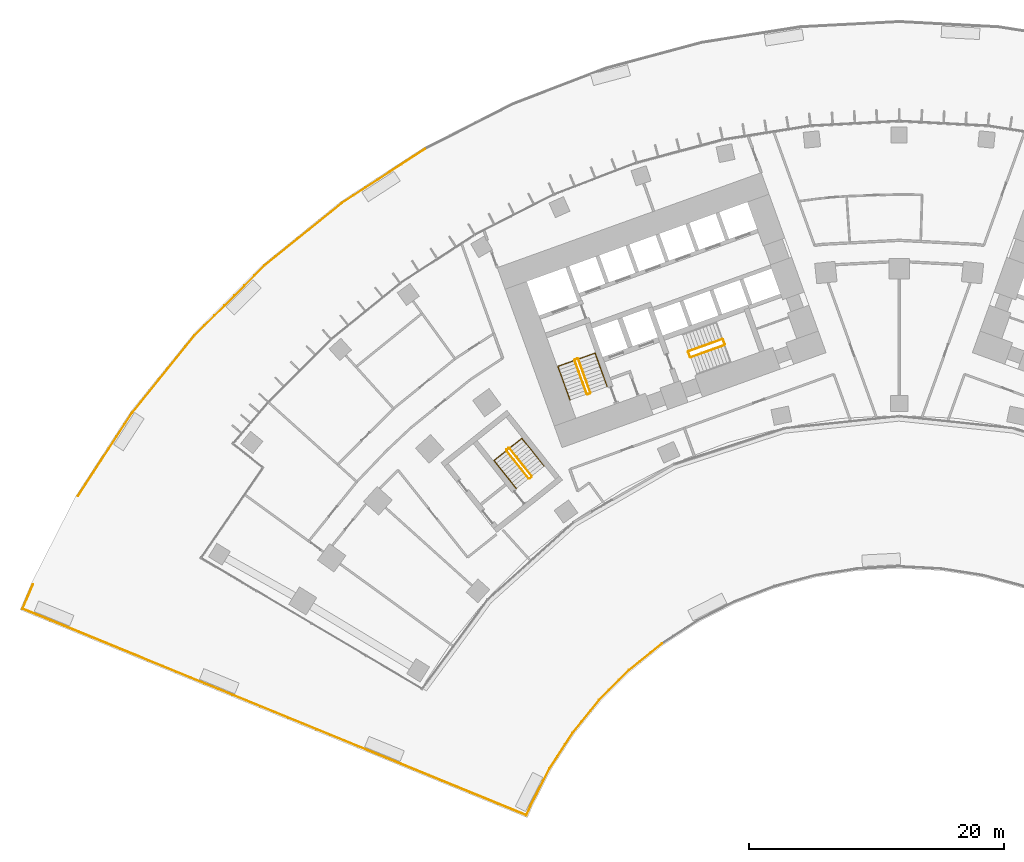
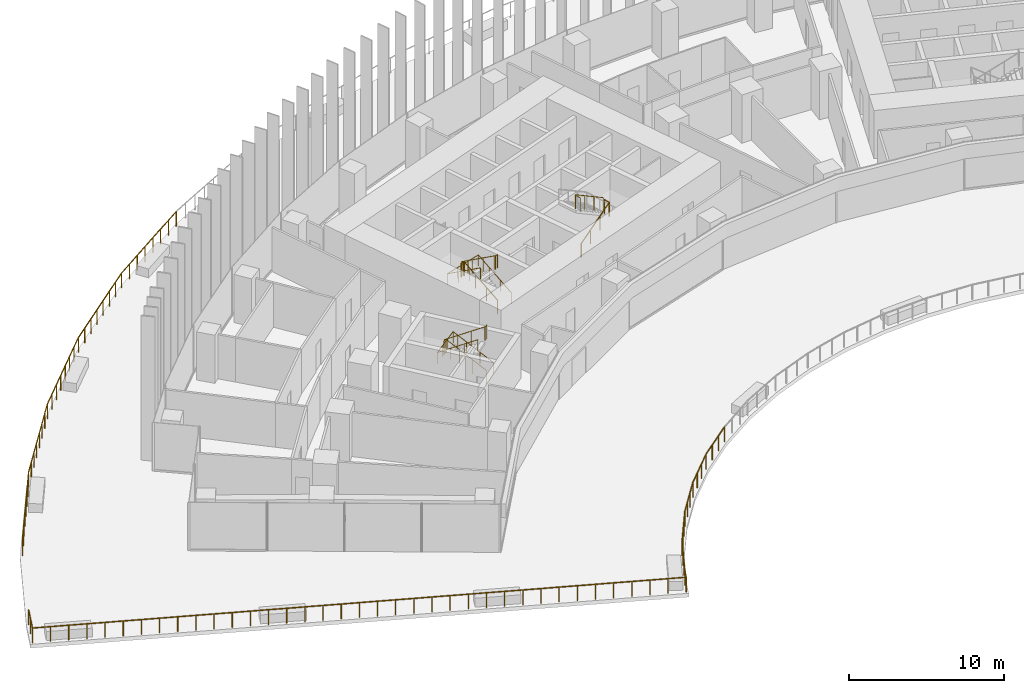
# One storey, part 22 of 24: 10 railings.
"""IFC4 building model written with IfcOpenShell, lengths in metres."""

from ifc_helpers import new_model, si_unit, direction, frame, origin, origin_2d, place, context, subcontext, project, spatial, circle, extrude, material, type_object, element, save


model = new_model("IFC4")

# Units and contexts
model_context = context("Model", 3, precision=1e-05, world=origin(), true_north=direction((0.0, 1.0)))
body_context = subcontext(model_context, "Body", "Model", "MODEL_VIEW")
ifc_project = project(units=[si_unit("LENGTHUNIT", "METRE"), si_unit("AREAUNIT", "SQUARE_METRE"), si_unit("VOLUMEUNIT", "CUBIC_METRE"), si_unit("PLANEANGLEUNIT", "RADIAN"), si_unit("MASSUNIT", "GRAM", prefix="KILO")], contexts=[model_context])

# Site, building, storey
site_placement = place(None, origin())
site = spatial("IfcSite", under=ifc_project, at=site_placement, CompositionType="ELEMENT")
building_placement = place(site_placement, origin())
building = spatial("IfcBuilding", under=site, at=building_placement, Name="Stone Belt Terrace Tower", CompositionType="ELEMENT")
storey_placement = place(building_placement, frame((0.0, 0.0, 30.0)))
storey = spatial("IfcBuildingStorey", under=building, at=storey_placement, Name="L06", CompositionType="ELEMENT", Elevation=30.0)

# Railings
ifc_material_1 = material(Name="Structural steel C345", Category="steel")
railing_type_1 = type_object("IfcRailingType", Name="Stair guard 1100", PredefinedType="GUARDRAIL", material=ifc_material_1)
railing_1_placement = place(storey_placement, frame((-24.2119140625, 45.276123046875, 0.172607421875)))
element("IfcRailing", 1, at=railing_1_placement, inside=storey, type_object=railing_type_1, Name="L06 ST1A stair guard 1", PredefinedType="GUARDRAIL", context=body_context, shape_type="SweptSolid", body=[
    extrude(circle(Radius=0.02392578125, at=origin_2d()), frame((0.0, 0.0, 1.076171875), z_axis=(-0.288228637646, 0.800791768495, 0.525030280985), x_axis=(-0.940908529223, -0.338660803216, 0.0)), (0.0, 0.0, 1.0), 3.289794921875),
    extrude(circle(Radius=0.02392578125, at=origin_2d()), frame((-0.9482421875, 2.634521484375, 2.80322265625), z_axis=(-0.905209821074, 0.424964916, 0.0), x_axis=(-0.424964916, -0.905209821074, 0.0)), (0.0, 0.0, 1.0), 0.070556640625),
    extrude(circle(Radius=0.02392578125, at=origin_2d()), frame((-1.01220703125, 2.66455078125, 2.80322265625), z_axis=(-0.941105063269, -0.338114270461, 0.0), x_axis=(0.338114270461, -0.941105063269, 0.0)), (0.0, 0.0, 1.0), 0.199951171875),
    extrude(circle(Radius=0.02099609375, at=origin_2d()), origin(), (0.0, 0.0, 1.0), 1.052001953125),
    extrude(circle(Radius=0.02099609375, at=origin_2d()), frame((-0.316162109375, 0.878173828125, 0.57568359375)), (0.0, 0.0, 1.0), 1.052001953125),
    extrude(circle(Radius=0.02099609375, at=origin_2d()), frame((-0.632080078125, 1.75634765625, 1.151611328125)), (0.0, 0.0, 1.0), 1.052001953125),
    extrude(circle(Radius=0.02099609375, at=origin_2d()), frame((-0.9482421875, 2.634521484375, 1.727294921875)), (0.0, 0.0, 1.0), 1.052001953125),
    extrude(circle(Radius=0.02099609375, at=origin_2d()), frame((-1.01220703125, 2.66455078125, 1.727294921875)), (0.0, 0.0, 1.0), 1.052001953125),
    extrude(circle(Radius=0.02099609375, at=origin_2d()), frame((-1.200439453125, 2.596923828125, 1.727294921875)), (0.0, 0.0, 1.0), 1.052001953125),
])
railing_2_placement = place(storey_placement, frame((-25.4423828125, 47.80908203125, 2.07275390625)))
element("IfcRailing", 2, at=railing_2_placement, inside=storey, type_object=railing_type_1, Name="L06 ST1A stair guard 2", PredefinedType="GUARDRAIL", context=body_context, shape_type="SweptSolid", body=[
    extrude(circle(Radius=0.02392578125, at=origin_2d()), frame((0.0, 0.0, 1.076171875), z_axis=(0.288228637646, -0.800791768495, 0.525030280985), x_axis=(0.940908529223, 0.338660803216, 0.0)), (0.0, 0.0, 1.0), 3.289794921875),
    extrude(circle(Radius=0.02392578125, at=origin_2d()), frame((0.9482421875, -2.634521484375, 2.80322265625), z_axis=(0.903878284585, -0.427789722475, 0.0), x_axis=(0.427789722475, 0.903878284585, 0.0)), (0.0, 0.0, 1.0), 0.07080078125),
    extrude(circle(Radius=0.02392578125, at=origin_2d()), frame((1.01220703125, -2.664794921875, 2.80322265625), z_axis=(0.940575576748, 0.339584429008, 0.0), x_axis=(-0.339584429008, 0.940575576748, 0.0)), (0.0, 0.0, 1.0), 0.199951171875),
    extrude(circle(Radius=0.02099609375, at=origin_2d()), origin(), (0.0, 0.0, 1.0), 1.052001953125),
    extrude(circle(Radius=0.02099609375, at=origin_2d()), frame((0.316162109375, -0.878173828125, 0.57568359375)), (0.0, 0.0, 1.0), 1.052001953125),
    extrude(circle(Radius=0.02099609375, at=origin_2d()), frame((0.632080078125, -1.75634765625, 1.151611328125)), (0.0, 0.0, 1.0), 1.052001953125),
    extrude(circle(Radius=0.02099609375, at=origin_2d()), frame((0.9482421875, -2.634521484375, 1.727294921875)), (0.0, 0.0, 1.0), 1.052001953125),
    extrude(circle(Radius=0.02099609375, at=origin_2d()), frame((1.01220703125, -2.664794921875, 1.727294921875)), (0.0, 0.0, 1.0), 1.052001953125),
    extrude(circle(Radius=0.02099609375, at=origin_2d()), frame((1.2001953125, -2.596923828125, 1.727294921875)), (0.0, 0.0, 1.0), 1.052001953125),
])
railing_3_placement = place(storey_placement, frame((-16.33837890625, 48.056640625, 0.172607421875)))
element("IfcRailing", 3, at=railing_3_placement, inside=storey, type_object=railing_type_1, Name="L06 ST2A stair guard 1", PredefinedType="GUARDRAIL", context=body_context, shape_type="SweptSolid", body=[
    extrude(circle(Radius=0.02392578125, at=origin_2d()), frame((0.0, 0.0, 1.076171875), z_axis=(0.800808895155, 0.288160591223, 0.52504150989), x_axis=(-0.338583606334, 0.940936311087, 0.0)), (0.0, 0.0, 1.0), 3.289794921875),
    extrude(circle(Radius=0.02392578125, at=origin_2d()), frame((2.634521484375, 0.947998046875, 2.80322265625), z_axis=(0.427789722475, 0.903878284585, 0.0), x_axis=(-0.903878284585, 0.427789722475, 0.0)), (0.0, 0.0, 1.0), 0.07080078125),
    extrude(circle(Radius=0.02392578125, at=origin_2d()), frame((2.664794921875, 1.011962890625, 2.80322265625), z_axis=(-0.338654645739, 0.940910745459, 0.0), x_axis=(-0.940910745459, -0.338654645739, 0.0)), (0.0, 0.0, 1.0), 0.400146484375),
    extrude(circle(Radius=0.02099609375, at=origin_2d()), origin(), (0.0, 0.0, 1.0), 1.052001953125),
    extrude(circle(Radius=0.02099609375, at=origin_2d()), frame((0.878173828125, 0.31591796875, 0.57568359375)), (0.0, 0.0, 1.0), 1.052001953125),
    extrude(circle(Radius=0.02099609375, at=origin_2d()), frame((1.75634765625, 0.632080078125, 1.151611328125)), (0.0, 0.0, 1.0), 1.052001953125),
    extrude(circle(Radius=0.02099609375, at=origin_2d()), frame((2.634521484375, 0.947998046875, 1.727294921875)), (0.0, 0.0, 1.0), 1.052001953125),
    extrude(circle(Radius=0.02099609375, at=origin_2d()), frame((2.664794921875, 1.011962890625, 1.727294921875)), (0.0, 0.0, 1.0), 1.052001953125),
    extrude(circle(Radius=0.02099609375, at=origin_2d()), frame((2.529296875, 1.388427734375, 1.727294921875)), (0.0, 0.0, 1.0), 1.052001953125),
])
railing_4_placement = place(storey_placement, frame((-13.873046875, 49.47509765625, 2.07275390625)))
element("IfcRailing", 4, at=railing_4_placement, inside=storey, type_object=railing_type_1, Name="L06 ST2A stair guard 2", PredefinedType="GUARDRAIL", context=body_context, shape_type="SweptSolid", body=[
    extrude(circle(Radius=0.02392578125, at=origin_2d()), frame((0.0, 0.0, 1.076171875), z_axis=(-0.800808895155, -0.288160591223, 0.52504150989), x_axis=(0.338583606334, -0.940936311087, 0.0)), (0.0, 0.0, 1.0), 3.289794921875),
    extrude(circle(Radius=0.02392578125, at=origin_2d()), frame((-2.634521484375, -0.947998046875, 2.80322265625), z_axis=(-0.427789722475, -0.903878284585, 0.0), x_axis=(0.903878284585, -0.427789722475, 0.0)), (0.0, 0.0, 1.0), 0.07080078125),
    extrude(circle(Radius=0.02392578125, at=origin_2d()), frame((-2.664794921875, -1.011962890625, 2.80322265625), z_axis=(0.338654645739, -0.940910745459, 0.0), x_axis=(0.940910745459, 0.338654645739, 0.0)), (0.0, 0.0, 1.0), 0.400146484375),
    extrude(circle(Radius=0.02099609375, at=origin_2d()), origin(), (0.0, 0.0, 1.0), 1.052001953125),
    extrude(circle(Radius=0.02099609375, at=origin_2d()), frame((-0.878173828125, -0.31591796875, 0.57568359375)), (0.0, 0.0, 1.0), 1.052001953125),
    extrude(circle(Radius=0.02099609375, at=origin_2d()), frame((-1.75634765625, -0.632080078125, 1.151611328125)), (0.0, 0.0, 1.0), 1.052001953125),
    extrude(circle(Radius=0.02099609375, at=origin_2d()), frame((-2.634521484375, -0.947998046875, 1.727294921875)), (0.0, 0.0, 1.0), 1.052001953125),
    extrude(circle(Radius=0.02099609375, at=origin_2d()), frame((-2.664794921875, -1.011962890625, 1.727294921875)), (0.0, 0.0, 1.0), 1.052001953125),
    extrude(circle(Radius=0.02099609375, at=origin_2d()), frame((-2.529296875, -1.388427734375, 1.727294921875)), (0.0, 0.0, 1.0), 1.052001953125),
])
railing_5_placement = place(storey_placement, frame((-28.814208984375, 38.734619140625, 0.172607421875)))
element("IfcRailing", 5, at=railing_5_placement, inside=storey, type_object=railing_type_1, Name="L06 ST3A stair guard 1", PredefinedType="GUARDRAIL", context=body_context, shape_type="SweptSolid", body=[
    extrude(circle(Radius=0.02392578125, at=origin_2d()), frame((0.0, 0.0, 1.076171875), z_axis=(-0.530306321799, 0.665665785969, 0.525037395288), x_axis=(-0.782143211408, -0.623098705543, 0.0)), (0.0, 0.0, 1.0), 3.289794921875),
    extrude(circle(Radius=0.02392578125, at=origin_2d()), frame((-1.74462890625, 2.18994140625, 2.80322265625), z_axis=(-0.993883734674, 0.110431526075, 0.0), x_axis=(-0.110431526075, -0.993883734674, 0.0)), (0.0, 0.0, 1.0), 0.07080078125),
    extrude(circle(Radius=0.02392578125, at=origin_2d()), frame((-1.81494140625, 2.19775390625, 2.80322265625), z_axis=(-0.782533463299, -0.622608527742, 0.0), x_axis=(0.622608527742, -0.782533463299, 0.0)), (0.0, 0.0, 1.0), 0.199951171875),
    extrude(circle(Radius=0.02099609375, at=origin_2d()), origin(), (0.0, 0.0, 1.0), 1.052001953125),
    extrude(circle(Radius=0.02099609375, at=origin_2d()), frame((-0.58154296875, 0.72998046875, 0.57568359375)), (0.0, 0.0, 1.0), 1.052001953125),
    extrude(circle(Radius=0.02099609375, at=origin_2d()), frame((-1.1630859375, 1.4599609375, 1.151611328125)), (0.0, 0.0, 1.0), 1.052001953125),
    extrude(circle(Radius=0.02099609375, at=origin_2d()), frame((-1.74462890625, 2.18994140625, 1.727294921875)), (0.0, 0.0, 1.0), 1.052001953125),
    extrude(circle(Radius=0.02099609375, at=origin_2d()), frame((-1.81494140625, 2.19775390625, 1.727294921875)), (0.0, 0.0, 1.0), 1.052001953125),
    extrude(circle(Radius=0.02099609375, at=origin_2d()), frame((-1.971435546875, 2.0732421875, 1.727294921875)), (0.0, 0.0, 1.0), 1.052001953125),
])
railing_6_placement = place(storey_placement, frame((-30.793701171875, 40.737548828125, 2.07275390625)))
element("IfcRailing", 6, at=railing_6_placement, inside=storey, type_object=railing_type_1, Name="L06 ST3A stair guard 2", PredefinedType="GUARDRAIL", context=body_context, shape_type="SweptSolid", body=[
    extrude(circle(Radius=0.02392578125, at=origin_2d()), frame((0.0, 0.0, 1.076171875), z_axis=(0.530359659125, -0.665639588968, 0.525016732659), x_axis=(0.782100716982, 0.62315204284, 0.0)), (0.0, 0.0, 1.0), 3.2900390625),
    extrude(circle(Radius=0.02392578125, at=origin_2d()), frame((1.744873046875, -2.18994140625, 2.80322265625), z_axis=(0.993499272973, -0.113838458361, 0.0), x_axis=(0.113838458361, 0.993499272973, 0.0)), (0.0, 0.0, 1.0), 0.07080078125),
    extrude(circle(Radius=0.02392578125, at=origin_2d()), frame((1.815185546875, -2.197998046875, 2.80322265625), z_axis=(0.781464082609, 0.623950228458, 0.0), x_axis=(-0.623950228458, 0.781464082609, 0.0)), (0.0, 0.0, 1.0), 0.199951171875),
    extrude(circle(Radius=0.02099609375, at=origin_2d()), origin(), (0.0, 0.0, 1.0), 1.052001953125),
    extrude(circle(Radius=0.02099609375, at=origin_2d()), frame((0.58154296875, -0.72998046875, 0.57568359375)), (0.0, 0.0, 1.0), 1.052001953125),
    extrude(circle(Radius=0.02099609375, at=origin_2d()), frame((1.163330078125, -1.4599609375, 1.151611328125)), (0.0, 0.0, 1.0), 1.052001953125),
    extrude(circle(Radius=0.02099609375, at=origin_2d()), frame((1.744873046875, -2.18994140625, 1.727294921875)), (0.0, 0.0, 1.0), 1.052001953125),
    extrude(circle(Radius=0.02099609375, at=origin_2d()), frame((1.815185546875, -2.197998046875, 1.727294921875)), (0.0, 0.0, 1.0), 1.052001953125),
    extrude(circle(Radius=0.02099609375, at=origin_2d()), frame((1.971435546875, -2.0732421875, 1.727294921875)), (0.0, 0.0, 1.0), 1.052001953125),
])
railing_type_2 = type_object("IfcRailingType", Name="Stair handrail 900", PredefinedType="HANDRAIL", material=ifc_material_1)
railing_7_placement = place(storey_placement, frame((-22.894775390625, 45.750244140625, 0.172607421875)))
element("IfcRailing", 7, at=railing_7_placement, inside=storey, type_object=railing_type_2, Name="L06 ST1A stair handrail 1", PredefinedType="HANDRAIL", context=body_context, shape_type="SweptSolid", body=[
    extrude(circle(Radius=0.02392578125, at=origin_2d()), frame((0.0, 0.0, 0.8759765625), z_axis=(-0.288160591223, 0.800808895155, 0.52504150989), x_axis=(-0.940936311087, -0.338583606334, 0.0)), (0.0, 0.0, 1.0), 3.289794921875),
    extrude(circle(Radius=0.02392578125, at=origin_2d()), frame((-0.947998046875, 2.634521484375, 2.60302734375), z_axis=(-0.939460408074, -0.338105101667, 0.055669398135), x_axis=(0.338630230244, -0.940919532779, 0.0)), (0.0, 0.0, 1.0), 3.10498046875),
    extrude(circle(Radius=0.02392578125, at=origin_2d()), frame((-3.864990234375, 1.584716796875, 2.77587890625), z_axis=(0.288228637646, -0.800791768495, 0.525030280985), x_axis=(0.940908529223, 0.338660803216, 0.0)), (0.0, 0.0, 1.0), 3.289794921875),
    extrude(circle(Radius=0.02099609375, at=origin_2d()), origin(), (0.0, 0.0, 1.0), 0.851806640625),
    extrude(circle(Radius=0.02099609375, at=origin_2d()), frame((-0.31591796875, 0.878173828125, 0.57568359375)), (0.0, 0.0, 1.0), 0.851806640625),
    extrude(circle(Radius=0.02099609375, at=origin_2d()), frame((-0.632080078125, 1.75634765625, 1.151611328125)), (0.0, 0.0, 1.0), 0.851806640625),
    extrude(circle(Radius=0.02099609375, at=origin_2d()), frame((-0.947998046875, 2.634521484375, 1.727294921875)), (0.0, 0.0, 1.0), 0.851806640625),
    extrude(circle(Radius=0.02099609375, at=origin_2d()), frame((-1.92041015625, 2.28466796875, 1.784912109375)), (0.0, 0.0, 1.0), 0.851806640625),
    extrude(circle(Radius=0.02099609375, at=origin_2d()), frame((-2.892578125, 1.9345703125, 1.842529296875)), (0.0, 0.0, 1.0), 0.851806640625),
    extrude(circle(Radius=0.02099609375, at=origin_2d()), frame((-3.864990234375, 1.584716796875, 1.900146484375)), (0.0, 0.0, 1.0), 0.851806640625),
    extrude(circle(Radius=0.02099609375, at=origin_2d()), frame((-3.548828125, 0.70654296875, 2.475830078125)), (0.0, 0.0, 1.0), 0.851806640625),
    extrude(circle(Radius=0.02099609375, at=origin_2d()), frame((-3.23291015625, -0.171630859375, 3.0517578125)), (0.0, 0.0, 1.0), 0.851806640625),
    extrude(circle(Radius=0.02099609375, at=origin_2d()), frame((-2.916748046875, -1.0498046875, 3.62744140625)), (0.0, 0.0, 1.0), 0.851806640625),
])
railing_8_placement = place(storey_placement, frame((-27.836669921875, 39.513427734375, 0.172607421875)))
element("IfcRailing", 8, at=railing_8_placement, inside=storey, type_object=railing_type_2, Name="L06 ST3A stair handrail 1", PredefinedType="HANDRAIL", context=body_context, shape_type="SweptSolid", body=[
    extrude(circle(Radius=0.02392578125, at=origin_2d()), frame((0.0, 0.0, 0.8759765625), z_axis=(-0.530306321799, 0.665665785969, 0.525037395288), x_axis=(-0.782143211408, -0.623098705543, 0.0)), (0.0, 0.0, 1.0), 3.289794921875),
    extrude(circle(Radius=0.02392578125, at=origin_2d()), frame((-1.74462890625, 2.18994140625, 2.60302734375), z_axis=(-0.78065703189, -0.621914732429, 0.061617076765), x_axis=(0.623098705543, -0.782143211408, 0.0)), (0.0, 0.0, 1.0), 2.80517578125),
    extrude(circle(Radius=0.02392578125, at=origin_2d()), frame((-3.9345703125, 0.4453125, 2.77587890625), z_axis=(0.530306321799, -0.665665785969, 0.525037395288), x_axis=(0.782143211408, 0.623098705543, 0.0)), (0.0, 0.0, 1.0), 3.289794921875),
    extrude(circle(Radius=0.02099609375, at=origin_2d()), origin(), (0.0, 0.0, 1.0), 0.851806640625),
    extrude(circle(Radius=0.02099609375, at=origin_2d()), frame((-0.58154296875, 0.72998046875, 0.57568359375)), (0.0, 0.0, 1.0), 0.851806640625),
    extrude(circle(Radius=0.02099609375, at=origin_2d()), frame((-1.1630859375, 1.4599609375, 1.151611328125)), (0.0, 0.0, 1.0), 0.851806640625),
    extrude(circle(Radius=0.02099609375, at=origin_2d()), frame((-1.74462890625, 2.18994140625, 1.727294921875)), (0.0, 0.0, 1.0), 0.851806640625),
    extrude(circle(Radius=0.02099609375, at=origin_2d()), frame((-2.474609375, 1.6083984375, 1.784912109375)), (0.0, 0.0, 1.0), 0.851806640625),
    extrude(circle(Radius=0.02099609375, at=origin_2d()), frame((-3.20458984375, 1.02685546875, 1.842529296875)), (0.0, 0.0, 1.0), 0.851806640625),
    extrude(circle(Radius=0.02099609375, at=origin_2d()), frame((-3.9345703125, 0.4453125, 1.900146484375)), (0.0, 0.0, 1.0), 0.851806640625),
    extrude(circle(Radius=0.02099609375, at=origin_2d()), frame((-3.35302734375, -0.28466796875, 2.475830078125)), (0.0, 0.0, 1.0), 0.851806640625),
    extrude(circle(Radius=0.02099609375, at=origin_2d()), frame((-2.771484375, -1.0146484375, 3.0517578125)), (0.0, 0.0, 1.0), 0.851806640625),
    extrude(circle(Radius=0.02099609375, at=origin_2d()), frame((-2.18994140625, -1.74462890625, 3.62744140625)), (0.0, 0.0, 1.0), 0.851806640625),
])
ifc_material_2 = material(Name="Stainless steel AISI 304", Category="steel")
railing_type_3 = type_object("IfcRailingType", Name="Terrace guard 1200", PredefinedType="GUARDRAIL", material=ifc_material_2)
railing_9_placement = place(storey_placement, frame((-67.923095703125, 30.23828125, 0.0)))
element("IfcRailing", 9, at=railing_9_placement, inside=storey, type_object=railing_type_3, Name="GUARD L06 1.1", PredefinedType="GUARDRAIL", context=body_context, shape_type="SweptSolid", body=[
    extrude(circle(Radius=0.02490234375, at=origin_2d()), frame((0.0, 0.0, 1.1748046875), z_axis=(-0.393065143018, -0.919510627097, 0.0), x_axis=(0.919510627097, -0.393065143018, 0.0)), (0.0, 0.0, 1.0), 2.0703125),
    extrude(circle(Radius=0.02490234375, at=origin_2d()), frame((-0.813720703125, -1.903564453125, 1.1748046875), z_axis=(0.925297113284, -0.379242998814, 0.0), x_axis=(0.379242998814, 0.925297113284, 0.0)), (0.0, 0.0, 1.0), 42.69970703125),
    extrude(circle(Radius=0.02490234375, at=origin_2d()), frame((38.6962890625, -18.09716796875, 1.1748046875), z_axis=(0.393255393644, 0.919429276981, 0.0), x_axis=(-0.919429276981, 0.393255393644, 0.0)), (0.0, 0.0, 1.0), 0.799072265625),
    extrude(circle(Radius=0.02490234375, at=origin_2d()), frame((39.010498046875, -17.362548828125, 1.1748046875), z_axis=(0.453956717024, 0.891023736535, 0.0), x_axis=(-0.891023736535, 0.453956717024, 0.0)), (0.0, 0.0, 1.0), 3.310302734375),
    extrude(circle(Radius=0.02490234375, at=origin_2d()), frame((40.51318359375, -14.4130859375, 1.1748046875), z_axis=(0.544677474369, 0.838645603885, 0.0), x_axis=(-0.838645603885, 0.544677474369, 0.0)), (0.0, 0.0, 1.0), 3.312744140625),
    extrude(circle(Radius=0.02490234375, at=origin_2d()), frame((42.317626953125, -11.634765625, 1.1748046875), z_axis=(0.629276664595, 0.777181368406, 0.0), x_axis=(-0.777181368406, 0.629276664595, 0.0)), (0.0, 0.0, 1.0), 3.31298828125),
    extrude(circle(Radius=0.02490234375, at=origin_2d()), frame((44.40234375, -9.06005859375, 1.1748046875), z_axis=(0.707106781187, 0.707106781187, 0.0), x_axis=(-0.707106781187, 0.707106781187, 0.0)), (0.0, 0.0, 1.0), 3.312744140625),
    extrude(circle(Radius=0.02490234375, at=origin_2d()), frame((46.744873046875, -6.717529296875, 1.1748046875), z_axis=(0.777181368406, 0.629276664595, 0.0), x_axis=(-0.629276664595, 0.777181368406, 0.0)), (0.0, 0.0, 1.0), 3.31298828125),
    extrude(circle(Radius=0.02001953125, at=origin_2d()), origin(), (0.0, 0.0, 1.0), 1.14990234375),
    extrude(circle(Radius=0.02001953125, at=origin_2d()), frame((-0.40673828125, -0.95166015625, 0.0)), (0.0, 0.0, 1.0), 1.14990234375),
    extrude(circle(Radius=0.02001953125, at=origin_2d()), frame((-0.813720703125, -1.903564453125, 0.0)), (0.0, 0.0, 1.0), 1.14990234375),
    extrude(circle(Radius=0.02001953125, at=origin_2d()), frame((0.28369140625, -2.353271484375, 0.0)), (0.0, 0.0, 1.0), 1.14990234375),
    extrude(circle(Radius=0.02001953125, at=origin_2d()), frame((1.38134765625, -2.80322265625, 0.0)), (0.0, 0.0, 1.0), 1.14990234375),
    extrude(circle(Radius=0.02001953125, at=origin_2d()), frame((2.478759765625, -3.2529296875, 0.0)), (0.0, 0.0, 1.0), 1.14990234375),
    extrude(circle(Radius=0.02001953125, at=origin_2d()), frame((3.576171875, -3.702880859375, 0.0)), (0.0, 0.0, 1.0), 1.14990234375),
    extrude(circle(Radius=0.02001953125, at=origin_2d()), frame((4.673828125, -4.152587890625, 0.0)), (0.0, 0.0, 1.0), 1.14990234375),
    extrude(circle(Radius=0.02001953125, at=origin_2d()), frame((5.771240234375, -4.6025390625, 0.0)), (0.0, 0.0, 1.0), 1.14990234375),
    extrude(circle(Radius=0.02001953125, at=origin_2d()), frame((6.868896484375, -5.05224609375, 0.0)), (0.0, 0.0, 1.0), 1.14990234375),
    extrude(circle(Radius=0.02001953125, at=origin_2d()), frame((7.96630859375, -5.502197265625, 0.0)), (0.0, 0.0, 1.0), 1.14990234375),
    extrude(circle(Radius=0.02001953125, at=origin_2d()), frame((9.063720703125, -5.951904296875, 0.0)), (0.0, 0.0, 1.0), 1.14990234375),
    extrude(circle(Radius=0.02001953125, at=origin_2d()), frame((10.161376953125, -6.40185546875, 0.0)), (0.0, 0.0, 1.0), 1.14990234375),
    extrude(circle(Radius=0.02001953125, at=origin_2d()), frame((11.2587890625, -6.8515625, 0.0)), (0.0, 0.0, 1.0), 1.14990234375),
    extrude(circle(Radius=0.02001953125, at=origin_2d()), frame((12.356201171875, -7.301513671875, 0.0)), (0.0, 0.0, 1.0), 1.14990234375),
    extrude(circle(Radius=0.02001953125, at=origin_2d()), frame((13.453857421875, -7.751220703125, 0.0)), (0.0, 0.0, 1.0), 1.14990234375),
    extrude(circle(Radius=0.02001953125, at=origin_2d()), frame((14.55126953125, -8.201171875, 0.0)), (0.0, 0.0, 1.0), 1.14990234375),
    extrude(circle(Radius=0.02001953125, at=origin_2d()), frame((15.648681640625, -8.65087890625, 0.0)), (0.0, 0.0, 1.0), 1.14990234375),
    extrude(circle(Radius=0.02001953125, at=origin_2d()), frame((16.746337890625, -9.100830078125, 0.0)), (0.0, 0.0, 1.0), 1.14990234375),
    extrude(circle(Radius=0.02001953125, at=origin_2d()), frame((17.84375, -9.550537109375, 0.0)), (0.0, 0.0, 1.0), 1.14990234375),
    extrude(circle(Radius=0.02001953125, at=origin_2d()), frame((18.94140625, -10.00048828125, 0.0)), (0.0, 0.0, 1.0), 1.14990234375),
    extrude(circle(Radius=0.02001953125, at=origin_2d()), frame((20.038818359375, -10.4501953125, 0.0)), (0.0, 0.0, 1.0), 1.14990234375),
    extrude(circle(Radius=0.02001953125, at=origin_2d()), frame((21.13623046875, -10.89990234375, 0.0)), (0.0, 0.0, 1.0), 1.14990234375),
    extrude(circle(Radius=0.02001953125, at=origin_2d()), frame((22.23388671875, -11.349853515625, 0.0)), (0.0, 0.0, 1.0), 1.14990234375),
    extrude(circle(Radius=0.02001953125, at=origin_2d()), frame((23.331298828125, -11.799560546875, 0.0)), (0.0, 0.0, 1.0), 1.14990234375),
    extrude(circle(Radius=0.02001953125, at=origin_2d()), frame((24.4287109375, -12.24951171875, 0.0)), (0.0, 0.0, 1.0), 1.14990234375),
    extrude(circle(Radius=0.02001953125, at=origin_2d()), frame((25.5263671875, -12.69921875, 0.0)), (0.0, 0.0, 1.0), 1.14990234375),
    extrude(circle(Radius=0.02001953125, at=origin_2d()), frame((26.623779296875, -13.149169921875, 0.0)), (0.0, 0.0, 1.0), 1.14990234375),
    extrude(circle(Radius=0.02001953125, at=origin_2d()), frame((27.72119140625, -13.598876953125, 0.0)), (0.0, 0.0, 1.0), 1.14990234375),
    extrude(circle(Radius=0.02001953125, at=origin_2d()), frame((28.81884765625, -14.048828125, 0.0)), (0.0, 0.0, 1.0), 1.14990234375),
    extrude(circle(Radius=0.02001953125, at=origin_2d()), frame((29.916259765625, -14.49853515625, 0.0)), (0.0, 0.0, 1.0), 1.14990234375),
    extrude(circle(Radius=0.02001953125, at=origin_2d()), frame((31.013671875, -14.948486328125, 0.0)), (0.0, 0.0, 1.0), 1.14990234375),
    extrude(circle(Radius=0.02001953125, at=origin_2d()), frame((32.111328125, -15.398193359375, 0.0)), (0.0, 0.0, 1.0), 1.14990234375),
    extrude(circle(Radius=0.02001953125, at=origin_2d()), frame((33.208740234375, -15.84814453125, 0.0)), (0.0, 0.0, 1.0), 1.14990234375),
    extrude(circle(Radius=0.02001953125, at=origin_2d()), frame((34.306396484375, -16.2978515625, 0.0)), (0.0, 0.0, 1.0), 1.14990234375),
    extrude(circle(Radius=0.02001953125, at=origin_2d()), frame((35.40380859375, -16.747802734375, 0.0)), (0.0, 0.0, 1.0), 1.14990234375),
    extrude(circle(Radius=0.02001953125, at=origin_2d()), frame((36.501220703125, -17.197509765625, 0.0)), (0.0, 0.0, 1.0), 1.14990234375),
    extrude(circle(Radius=0.02001953125, at=origin_2d()), frame((37.598876953125, -17.6474609375, 0.0)), (0.0, 0.0, 1.0), 1.14990234375),
    extrude(circle(Radius=0.02001953125, at=origin_2d()), frame((38.6962890625, -18.09716796875, 0.0)), (0.0, 0.0, 1.0), 1.14990234375),
    extrude(circle(Radius=0.02001953125, at=origin_2d()), frame((39.010498046875, -17.362548828125, 0.0)), (0.0, 0.0, 1.0), 1.14990234375),
    extrude(circle(Radius=0.02001953125, at=origin_2d()), frame((39.511474609375, -16.37939453125, 0.0)), (0.0, 0.0, 1.0), 1.14990234375),
    extrude(circle(Radius=0.02001953125, at=origin_2d()), frame((40.01220703125, -15.396240234375, 0.0)), (0.0, 0.0, 1.0), 1.14990234375),
    extrude(circle(Radius=0.02001953125, at=origin_2d()), frame((40.51318359375, -14.4130859375, 0.0)), (0.0, 0.0, 1.0), 1.14990234375),
    extrude(circle(Radius=0.02001953125, at=origin_2d()), frame((41.11474609375, -13.487060546875, 0.0)), (0.0, 0.0, 1.0), 1.14990234375),
    extrude(circle(Radius=0.02001953125, at=origin_2d()), frame((41.716064453125, -12.560791015625, 0.0)), (0.0, 0.0, 1.0), 1.14990234375),
    extrude(circle(Radius=0.02001953125, at=origin_2d()), frame((42.317626953125, -11.634765625, 0.0)), (0.0, 0.0, 1.0), 1.14990234375),
    extrude(circle(Radius=0.02001953125, at=origin_2d()), frame((43.012451171875, -10.776611328125, 0.0)), (0.0, 0.0, 1.0), 1.14990234375),
    extrude(circle(Radius=0.02001953125, at=origin_2d()), frame((43.70751953125, -9.918212890625, 0.0)), (0.0, 0.0, 1.0), 1.14990234375),
    extrude(circle(Radius=0.02001953125, at=origin_2d()), frame((44.40234375, -9.06005859375, 0.0)), (0.0, 0.0, 1.0), 1.14990234375),
    extrude(circle(Radius=0.02001953125, at=origin_2d()), frame((45.18310546875, -8.279296875, 0.0)), (0.0, 0.0, 1.0), 1.14990234375),
    extrude(circle(Radius=0.02001953125, at=origin_2d()), frame((45.964111328125, -7.498291015625, 0.0)), (0.0, 0.0, 1.0), 1.14990234375),
    extrude(circle(Radius=0.02001953125, at=origin_2d()), frame((46.744873046875, -6.717529296875, 0.0)), (0.0, 0.0, 1.0), 1.14990234375),
    extrude(circle(Radius=0.02001953125, at=origin_2d()), frame((47.60302734375, -6.022705078125, 0.0)), (0.0, 0.0, 1.0), 1.14990234375),
    extrude(circle(Radius=0.02001953125, at=origin_2d()), frame((48.46142578125, -5.32763671875, 0.0)), (0.0, 0.0, 1.0), 1.14990234375),
    extrude(circle(Radius=0.02001953125, at=origin_2d()), frame((49.319580078125, -4.6328125, 0.0)), (0.0, 0.0, 1.0), 1.14990234375),
])
railing_10_placement = place(storey_placement, frame((-37.1748046875, 64.388916015625, 0.0)))
element("IfcRailing", 10, at=railing_10_placement, inside=storey, type_object=railing_type_3, Name="GUARD L06 1.5", PredefinedType="GUARDRAIL", context=body_context, shape_type="SweptSolid", body=[
    extrude(circle(Radius=0.02490234375, at=origin_2d()), frame((0.0, 0.0, 1.1748046875), z_axis=(-0.838660001381, -0.544655305752, 0.0), x_axis=(0.544655305752, -0.838660001381, 0.0)), (0.0, 0.0, 1.0), 7.782470703125),
    extrude(circle(Radius=0.02490234375, at=origin_2d()), frame((-6.52685546875, -4.23876953125, 1.1748046875), z_axis=(-0.777157926478, -0.629305615192, 0.0), x_axis=(0.629305615192, -0.777157926478, 0.0)), (0.0, 0.0, 1.0), 7.7822265625),
    extrude(circle(Radius=0.02490234375, at=origin_2d()), frame((-12.574951171875, -9.13623046875, 1.1748046875), z_axis=(-0.707106781187, -0.707106781187, 0.0), x_axis=(0.707106781187, -0.707106781187, 0.0)), (0.0, 0.0, 1.0), 7.7822265625),
    extrude(circle(Radius=0.02490234375, at=origin_2d()), frame((-18.077880859375, -14.63916015625, 1.1748046875), z_axis=(-0.629305615192, -0.777157926478, 0.0), x_axis=(0.777157926478, -0.629305615192, 0.0)), (0.0, 0.0, 1.0), 7.7822265625),
    extrude(circle(Radius=0.02490234375, at=origin_2d()), frame((-22.975341796875, -20.687255859375, 1.1748046875), z_axis=(-0.544655305752, -0.838660001381, 0.0), x_axis=(0.838660001381, -0.544655305752, 0.0)), (0.0, 0.0, 1.0), 7.782470703125),
    extrude(circle(Radius=0.02001953125, at=origin_2d()), origin(), (0.0, 0.0, 1.0), 1.14990234375),
    extrude(circle(Radius=0.02001953125, at=origin_2d()), frame((-0.932373046875, -0.60546875, 0.0)), (0.0, 0.0, 1.0), 1.14990234375),
    extrude(circle(Radius=0.02001953125, at=origin_2d()), frame((-1.86474609375, -1.211181640625, 0.0)), (0.0, 0.0, 1.0), 1.14990234375),
    extrude(circle(Radius=0.02001953125, at=origin_2d()), frame((-2.797119140625, -1.816650390625, 0.0)), (0.0, 0.0, 1.0), 1.14990234375),
    extrude(circle(Radius=0.02001953125, at=origin_2d()), frame((-3.729736328125, -2.422119140625, 0.0)), (0.0, 0.0, 1.0), 1.14990234375),
    extrude(circle(Radius=0.02001953125, at=origin_2d()), frame((-4.662109375, -3.027587890625, 0.0)), (0.0, 0.0, 1.0), 1.14990234375),
    extrude(circle(Radius=0.02001953125, at=origin_2d()), frame((-5.594482421875, -3.63330078125, 0.0)), (0.0, 0.0, 1.0), 1.14990234375),
    extrude(circle(Radius=0.02001953125, at=origin_2d()), frame((-6.52685546875, -4.23876953125, 0.0)), (0.0, 0.0, 1.0), 1.14990234375),
    extrude(circle(Radius=0.02001953125, at=origin_2d()), frame((-7.390869140625, -4.9384765625, 0.0)), (0.0, 0.0, 1.0), 1.14990234375),
    extrude(circle(Radius=0.02001953125, at=origin_2d()), frame((-8.2548828125, -5.637939453125, 0.0)), (0.0, 0.0, 1.0), 1.14990234375),
    extrude(circle(Radius=0.02001953125, at=origin_2d()), frame((-9.118896484375, -6.337646484375, 0.0)), (0.0, 0.0, 1.0), 1.14990234375),
    extrude(circle(Radius=0.02001953125, at=origin_2d()), frame((-9.98291015625, -7.037353515625, 0.0)), (0.0, 0.0, 1.0), 1.14990234375),
    extrude(circle(Radius=0.02001953125, at=origin_2d()), frame((-10.846923828125, -7.737060546875, 0.0)), (0.0, 0.0, 1.0), 1.14990234375),
    extrude(circle(Radius=0.02001953125, at=origin_2d()), frame((-11.7109375, -8.4365234375, 0.0)), (0.0, 0.0, 1.0), 1.14990234375),
    extrude(circle(Radius=0.02001953125, at=origin_2d()), frame((-12.574951171875, -9.13623046875, 0.0)), (0.0, 0.0, 1.0), 1.14990234375),
    extrude(circle(Radius=0.02001953125, at=origin_2d()), frame((-13.361083984375, -9.92236328125, 0.0)), (0.0, 0.0, 1.0), 1.14990234375),
    extrude(circle(Radius=0.02001953125, at=origin_2d()), frame((-14.147216796875, -10.70849609375, 0.0)), (0.0, 0.0, 1.0), 1.14990234375),
    extrude(circle(Radius=0.02001953125, at=origin_2d()), frame((-14.933349609375, -11.49462890625, 0.0)), (0.0, 0.0, 1.0), 1.14990234375),
    extrude(circle(Radius=0.02001953125, at=origin_2d()), frame((-15.719482421875, -12.28076171875, 0.0)), (0.0, 0.0, 1.0), 1.14990234375),
    extrude(circle(Radius=0.02001953125, at=origin_2d()), frame((-16.505615234375, -13.06689453125, 0.0)), (0.0, 0.0, 1.0), 1.14990234375),
    extrude(circle(Radius=0.02001953125, at=origin_2d()), frame((-17.291748046875, -13.85302734375, 0.0)), (0.0, 0.0, 1.0), 1.14990234375),
    extrude(circle(Radius=0.02001953125, at=origin_2d()), frame((-18.077880859375, -14.63916015625, 0.0)), (0.0, 0.0, 1.0), 1.14990234375),
    extrude(circle(Radius=0.02001953125, at=origin_2d()), frame((-18.777587890625, -15.503173828125, 0.0)), (0.0, 0.0, 1.0), 1.14990234375),
    extrude(circle(Radius=0.02001953125, at=origin_2d()), frame((-19.47705078125, -16.3671875, 0.0)), (0.0, 0.0, 1.0), 1.14990234375),
    extrude(circle(Radius=0.02001953125, at=origin_2d()), frame((-20.1767578125, -17.231201171875, 0.0)), (0.0, 0.0, 1.0), 1.14990234375),
    extrude(circle(Radius=0.02001953125, at=origin_2d()), frame((-20.87646484375, -18.09521484375, 0.0)), (0.0, 0.0, 1.0), 1.14990234375),
    extrude(circle(Radius=0.02001953125, at=origin_2d()), frame((-21.576171875, -18.959228515625, 0.0)), (0.0, 0.0, 1.0), 1.14990234375),
    extrude(circle(Radius=0.02001953125, at=origin_2d()), frame((-22.275634765625, -19.8232421875, 0.0)), (0.0, 0.0, 1.0), 1.14990234375),
    extrude(circle(Radius=0.02001953125, at=origin_2d()), frame((-22.975341796875, -20.687255859375, 0.0)), (0.0, 0.0, 1.0), 1.14990234375),
    extrude(circle(Radius=0.02001953125, at=origin_2d()), frame((-23.580810546875, -21.61962890625, 0.0)), (0.0, 0.0, 1.0), 1.14990234375),
    extrude(circle(Radius=0.02001953125, at=origin_2d()), frame((-24.1865234375, -22.552001953125, 0.0)), (0.0, 0.0, 1.0), 1.14990234375),
    extrude(circle(Radius=0.02001953125, at=origin_2d()), frame((-24.7919921875, -23.484375, 0.0)), (0.0, 0.0, 1.0), 1.14990234375),
    extrude(circle(Radius=0.02001953125, at=origin_2d()), frame((-25.3974609375, -24.4169921875, 0.0)), (0.0, 0.0, 1.0), 1.14990234375),
    extrude(circle(Radius=0.02001953125, at=origin_2d()), frame((-26.0029296875, -25.349365234375, 0.0)), (0.0, 0.0, 1.0), 1.14990234375),
    extrude(circle(Radius=0.02001953125, at=origin_2d()), frame((-26.608642578125, -26.28173828125, 0.0)), (0.0, 0.0, 1.0), 1.14990234375),
    extrude(circle(Radius=0.02001953125, at=origin_2d()), frame((-27.214111328125, -27.214111328125, 0.0)), (0.0, 0.0, 1.0), 1.14990234375),
])

save(model, "model.ifc")
